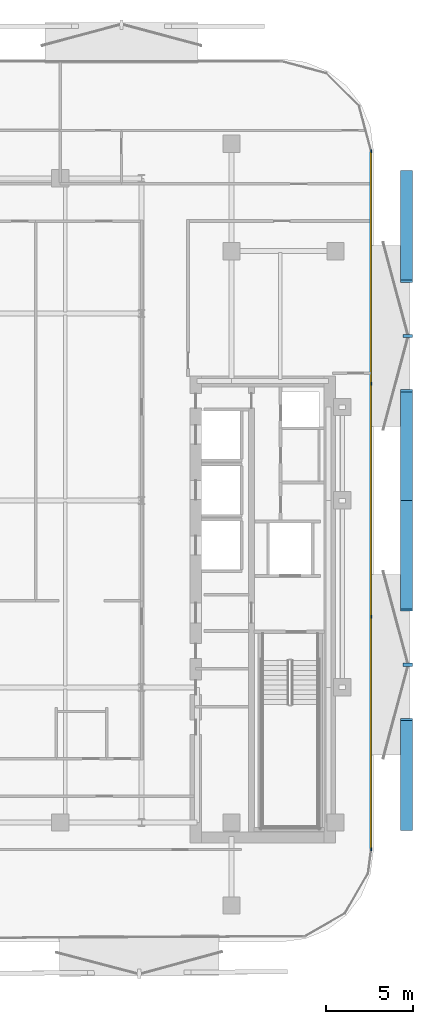
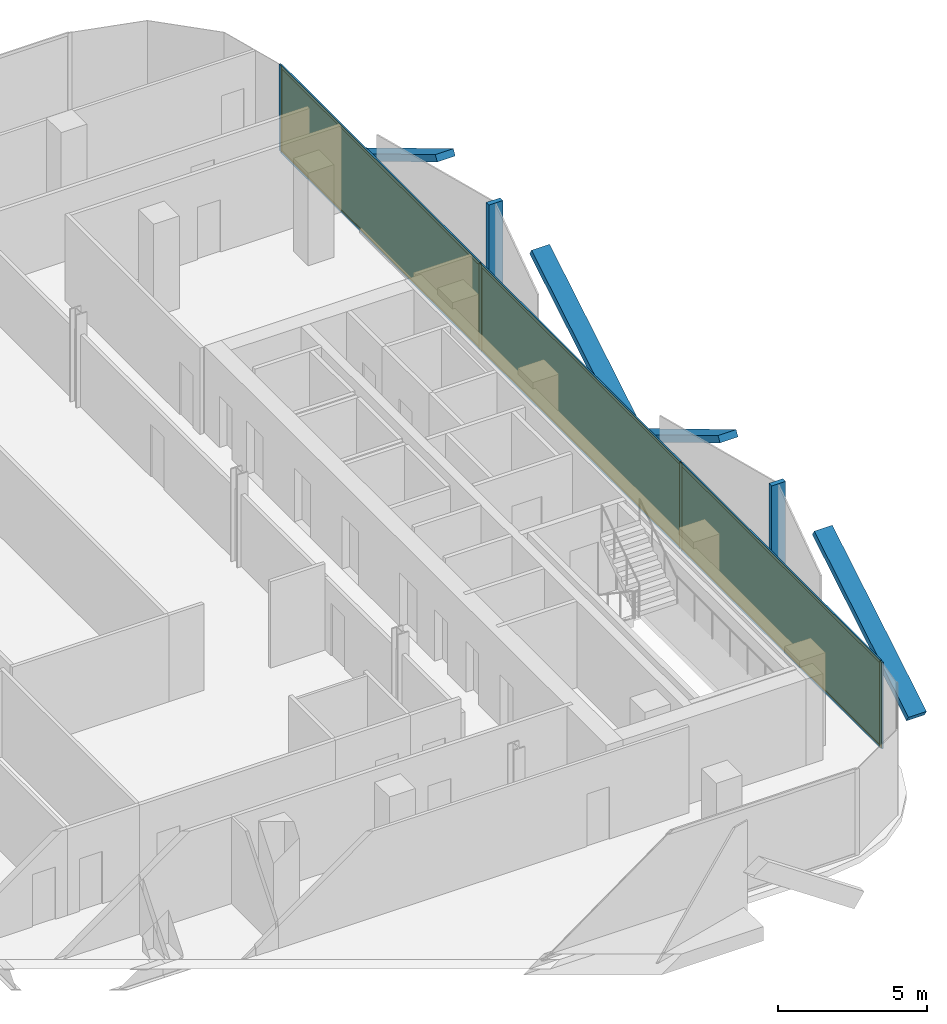
# One storey, part 10 of 16: 16 members, 3 plates, 1 curtain wall.
"""IFC4 building model written with IfcOpenShell, lengths in metres."""

import ifcopenshell
import ifcopenshell.guid

model = None  # the IFC model being written
_history = None  # IfcOwnerHistory: only IFC2X3 demands one
_inside = {}  # id of a spatial element -> (the spatial element, [elements in it])
_under = {}  # id of a project, library or spatial element -> (it, [spatial elements below it])
_declared = {}  # id of a project -> (the project, [libraries it declares])
_typed = {}  # id of a type object -> (the type object, [elements of that type])
_made_of = {}  # id of a material, layer set ... -> (it, [elements and type objects made of it])


def new_model(schema):
    """Start an empty IFC model of exactly this schema.

    Asked for "IFC4X3", IfcOpenShell would pick the latest addendum, in which some entities
    have other attributes; the version numbers below select the first issue.
    IFC2X3 requires an IfcOwnerHistory on every rooted entity: one is made here for all.
    """
    global model, _history
    if schema == "IFC4X3":
        model = ifcopenshell.file(schema_version=(4, 3, 0, 0))
    else:
        model = ifcopenshell.file(schema=schema)
    _inside.clear()
    _under.clear()
    _declared.clear()
    _typed.clear()
    _made_of.clear()
    _history = None
    if model.schema == "IFC2X3":
        org = make("IfcOrganization", Name="unknown")
        user = make(
            "IfcPersonAndOrganization",
            ThePerson=make("IfcPerson", FamilyName="unknown"),
            TheOrganization=org,
        )
        app = make(
            "IfcApplication",
            ApplicationDeveloper=org,
            Version="unknown",
            ApplicationFullName="unknown",
            ApplicationIdentifier="unknown",
        )
        _history = make(
            "IfcOwnerHistory",
            OwningUser=user,
            OwningApplication=app,
            ChangeAction="ADDED",
            CreationDate=0,
        )
    return model


def make(cls, **values):
    """One entity of the class cls with the attributes given. An attribute that is None is left unset."""
    return model.create_entity(
        cls, **{name: value for name, value in values.items() if value is not None}
    )


def rooted(cls, **values):
    """An entity with a GlobalId (a new one), such as an element, a storey or a relation."""
    return make(cls, GlobalId=ifcopenshell.guid.new(), OwnerHistory=_history, **values)


def si_unit(unit_type, name, prefix=None):
    """IfcSIUnit, for example si_unit("LENGTHUNIT", "METRE", prefix="MILLI")."""
    return make("IfcSIUnit", UnitType=unit_type, Prefix=prefix, Name=name)


def assignment(units):
    """IfcUnitAssignment: the units of a project."""
    return None if units is None else make("IfcUnitAssignment", Units=units)


def point(xyz):
    """IfcCartesianPoint."""
    return None if xyz is None else make("IfcCartesianPoint", Coordinates=xyz)


def direction(xyz):
    """IfcDirection."""
    return None if xyz is None else make("IfcDirection", DirectionRatios=xyz)


def frame(location, z_axis=None, x_axis=None):
    """IfcAxis2Placement3D, a coordinate frame: its origin and axes. An axis left out is left unset."""
    return make(
        "IfcAxis2Placement3D",
        Location=point(location),
        Axis=direction(z_axis),
        RefDirection=direction(x_axis),
    )


def frame_2d(location, x_axis=None):
    """IfcAxis2Placement2D, a coordinate frame in the plane: its origin and x axis."""
    return make(
        "IfcAxis2Placement2D", Location=point(location), RefDirection=direction(x_axis)
    )


def origin():
    """The frame at (0, 0, 0) with its axes left unset."""
    return frame((0.0, 0.0, 0.0))


def origin_2d():
    """The frame at (0, 0) in the plane with its x axis left unset."""
    return frame_2d((0.0, 0.0))


def place(relative_to, where):
    """IfcLocalPlacement: puts the frame where relative to a parent placement (None: the world)."""
    return make(
        "IfcLocalPlacement", PlacementRelTo=relative_to, RelativePlacement=where
    )


def context(
    kind, dimensions, precision=None, world=None, true_north=None, identifier=None
):
    """IfcGeometricRepresentationContext, for example the 3D "Model" context."""
    return make(
        "IfcGeometricRepresentationContext",
        ContextIdentifier=identifier,
        ContextType=kind,
        CoordinateSpaceDimension=dimensions,
        Precision=precision,
        WorldCoordinateSystem=world,
        TrueNorth=true_north,
    )


def subcontext(parent, identifier, kind, view, scale=None):
    """IfcGeometricRepresentationSubContext, for example "Body" below "Model"."""
    return make(
        "IfcGeometricRepresentationSubContext",
        ContextIdentifier=identifier,
        ContextType=kind,
        ParentContext=parent,
        TargetScale=scale,
        TargetView=view,
    )


def project(units=None, contexts=None):
    """IfcProject with its units and contexts."""
    return rooted(
        "IfcProject",
        Name="project",
        RepresentationContexts=contexts,
        UnitsInContext=assignment(units),
    )


def spatial(cls, under=None, at=None, **own):
    """A site, building, storey or space (cls), placed at a placement, below another one or the project."""
    s = rooted(cls, ObjectPlacement=at, **own)
    if under is not None:
        _under.setdefault(under.id(), (under, []))[1].append(s)
    return s


def profile(cls, at=None, kind="AREA", **sizes):
    """A parametric profile (cls). Its sizes go by their IFC names, for example OverallWidth=200.0."""
    return make(cls, ProfileType=kind, Position=at, **sizes)


def rectangle(**sizes):
    """IfcRectangleProfileDef."""
    return profile("IfcRectangleProfileDef", **sizes)


def extrude(swept, where, along, depth):
    """IfcExtrudedAreaSolid: the profile swept, set in the frame where, extruded along a direction by depth."""
    return make(
        "IfcExtrudedAreaSolid",
        SweptArea=swept,
        Position=where,
        ExtrudedDirection=direction(along),
        Depth=depth,
    )


def shape(context_of_items, identifier, shape_type, items):
    """IfcShapeRepresentation: the items that make up one representation, for example the "Body"."""
    return make(
        "IfcShapeRepresentation",
        ContextOfItems=context_of_items,
        RepresentationIdentifier=identifier,
        RepresentationType=shape_type,
        Items=items,
    )


def material(Name=None, Category=None):
    """IfcMaterial."""
    return make("IfcMaterial", Name=Name, Category=Category)


def layer(
    of_material, thickness, ventilated=None, Name=None, Category=None, Priority=None
):
    """IfcMaterialLayer: one layer of a wall or slab, of a material (None: an air gap)."""
    return make(
        "IfcMaterialLayer",
        Material=of_material,
        LayerThickness=thickness,
        IsVentilated=ventilated,
        Name=Name,
        Category=Category,
        Priority=Priority,
    )


def layer_set(layers, Name=None):
    """IfcMaterialLayerSet."""
    return make("IfcMaterialLayerSet", MaterialLayers=layers, LayerSetName=Name)


def material_profile(
    of_material, cross_section, Name=None, Category=None, Priority=None
):
    """IfcMaterialProfile: a cross section and its material."""
    return make(
        "IfcMaterialProfile",
        Name=Name,
        Material=of_material,
        Profile=cross_section,
        Priority=Priority,
        Category=Category,
    )


def profile_set(profiles, Name=None, composite=None):
    """IfcMaterialProfileSet."""
    return make(
        "IfcMaterialProfileSet",
        Name=Name,
        MaterialProfiles=profiles,
        CompositeProfile=composite,
    )


def made_of(thing, what):
    """Note that an element or type object is made of a material, layer set ...; save() writes the relation."""
    if what is not None:
        _made_of.setdefault(what.id(), (what, []))[1].append(thing)
    return thing


def type_object(cls, material=None, **own):
    """A type object (cls), such as IfcWallType, which elements share."""
    return made_of(rooted(cls, **own), material)


def element(
    cls,
    number,
    at=None,
    inside=None,
    cuts=None,
    type_object=None,
    material=None,
    context=None,
    identifier="Body",
    shape_type=None,
    held_by="IfcProductDefinitionShape",
    body=None,
    shapes=None,
    **own,
):
    """One element of the class cls, such as IfcWall. Its Tag is "e" and its number.

    at: its placement. inside: the storey or other place that contains it. cuts: it is an
    opening in that element (IfcRelVoidsElement). A single representation is given by context,
    identifier, shape_type and body (its items); several are given by shapes. held_by: the class
    of the entity that holds the representations. save() writes the other relations.
    """
    e = rooted(cls, Tag="e%d" % number, ObjectPlacement=at, **own)
    if body is not None:
        shapes = [shape(context, identifier, shape_type, body)]
    if shapes is not None:
        e.Representation = make(held_by, Representations=shapes)
    if inside is not None:
        _inside.setdefault(inside.id(), (inside, []))[1].append(e)
    if cuts is not None:
        rooted(
            "IfcRelVoidsElement", RelatingBuildingElement=cuts, RelatedOpeningElement=e
        )
    if type_object is not None:
        _typed.setdefault(type_object.id(), (type_object, []))[1].append(e)
    return made_of(e, material)


def aggregate(whole, parts):
    """IfcRelAggregates: a whole, such as a stair, and the parts it consists of."""
    return rooted("IfcRelAggregates", RelatingObject=whole, RelatedObjects=parts)


def save(model, path):
    """Write the relations noted so far, then the file.

    IfcRelAggregates (storeys below a building ...), IfcRelContainedInSpatialStructure (elements
    in a storey), IfcRelDefinesByType, IfcRelAssociatesMaterial and IfcRelDeclares: one each for
    every whole, place, type object, material and project.
    """
    for whole, parts in _under.values():
        aggregate(whole, parts)
    for where, things in _inside.values():
        rooted(
            "IfcRelContainedInSpatialStructure",
            RelatedElements=things,
            RelatingStructure=where,
        )
    for kind, things in _typed.values():
        rooted("IfcRelDefinesByType", RelatedObjects=things, RelatingType=kind)
    for what, things in _made_of.values():
        rooted("IfcRelAssociatesMaterial", RelatedObjects=things, RelatingMaterial=what)
    for by, libraries in _declared.values():
        rooted("IfcRelDeclares", RelatingContext=by, RelatedDefinitions=libraries)
    model.write(path)


model = new_model("IFC4")

# Units and contexts
model_context = context("Model", 3, precision=1e-05, world=origin(), true_north=direction((0.0, 1.0)))
body_context = subcontext(model_context, "Body", "Model", "MODEL_VIEW")
ifc_project = project(units=[si_unit("LENGTHUNIT", "METRE"), si_unit("AREAUNIT", "SQUARE_METRE"), si_unit("VOLUMEUNIT", "CUBIC_METRE"), si_unit("PLANEANGLEUNIT", "RADIAN"), si_unit("MASSUNIT", "GRAM", prefix="KILO")], contexts=[model_context])

# Member
ifc_material_1 = material(Name="Anodised Bronze Aluminium 6063-T6", Category="aluminium")
ifc_material_profile_1 = material_profile(ifc_material_1, rectangle(XDim=0.260009765625, YDim=0.699951171875, at=origin_2d()))
ifc_profile_set_1 = profile_set([ifc_material_profile_1], Name="Anodised Bronze Aluminium 6063-T6")
member_type_1 = type_object("IfcMemberType", Name="Bronze Diamond Solar-Screen Lattice Rib BDL-700", PredefinedType="MULLION", material=ifc_profile_set_1)
site_placement = place(None, origin())
building_placement = place(site_placement, origin())
storey_placement = place(building_placement, frame((0.0, 0.0, 184.0)))
member_1_placement = place(storey_placement, frame((24.5, 18.99072265625, -0.1298828125), z_axis=(0.0, -0.857396627106, 0.51465621907), x_axis=(0.0, -0.51465621907, -0.857396627106)))
member_1 = element("IfcMember", 1, at=member_1_placement, type_object=member_type_1, Name="L42 Bronze Diamond Solar Screen Lattice Rib 279A", PredefinedType="MULLION", context=body_context, shape_type="SweptSolid", body=[
    extrude(rectangle(XDim=0.260009765625, YDim=0.699951171875, at=origin_2d()), origin(), (0.0, 0.0, 1.0), 7.38330078125),
])

member_2_placement = place(storey_placement, frame((24.5, 0.0, -0.1298828125), z_axis=(0.0, 0.857396627106, 0.51465621907), x_axis=(0.0, 0.51465621907, -0.857396627106)))
member_2 = element("IfcMember", 2, at=member_2_placement, type_object=member_type_1, Name="L42 Bronze Diamond Solar Screen Lattice Rib 279B", PredefinedType="MULLION", context=body_context, shape_type="SweptSolid", body=[
    extrude(rectangle(XDim=0.260009765625, YDim=0.699951171875, at=origin_2d()), origin(), (0.0, 0.0, 1.0), 7.38330078125),
])

member_3_placement = place(storey_placement, frame((24.5, 0.0, -0.1298828125), z_axis=(0.0, -0.857396627106, 0.51465621907), x_axis=(0.0, -0.51465621907, -0.857396627106)))
member_3 = element("IfcMember", 3, at=member_3_placement, type_object=member_type_1, Name="L42 Bronze Diamond Solar Screen Lattice Rib 280A", PredefinedType="MULLION", context=body_context, shape_type="SweptSolid", body=[
    extrude(rectangle(XDim=0.260009765625, YDim=0.699951171875, at=origin_2d()), origin(), (0.0, 0.0, 1.0), 7.38330078125),
])

member_4_placement = place(storey_placement, frame((24.5, -18.99072265625, -0.1298828125), z_axis=(0.0, 0.857396627106, 0.51465621907), x_axis=(0.0, 0.51465621907, -0.857396627106)))
member_4 = element("IfcMember", 4, at=member_4_placement, type_object=member_type_1, Name="L42 Bronze Diamond Solar Screen Lattice Rib 280B", PredefinedType="MULLION", context=body_context, shape_type="SweptSolid", body=[
    extrude(rectangle(XDim=0.260009765625, YDim=0.699951171875, at=origin_2d()), origin(), (0.0, 0.0, 1.0), 7.38330078125),
])

ifc_material_2 = material(Name="Anodised Bronze Aluminium 6063-T6", Category="aluminium")
ifc_material_profile_2 = material_profile(ifc_material_2, rectangle(XDim=0.179931640625, YDim=0.5400390625, at=origin_2d()))
ifc_profile_set_2 = profile_set([ifc_material_profile_2], Name="Anodised Bronze Aluminium 6063-T6")
member_type_2 = type_object("IfcMemberType", Name="Bronze Solar-Screen Vertical Fold Fin BSF-540", PredefinedType="MULLION", material=ifc_profile_set_2)
member_5_placement = place(storey_placement, frame((24.580078125, 9.495361328125, -0.1298828125), z_axis=(0.0, 0.0, 1.0), x_axis=(0.0, -1.0, 0.0)))
member_5 = element("IfcMember", 5, at=member_5_placement, type_object=member_type_2, Name="L42 Bronze Solar Screen Vertical Fin 279", PredefinedType="MULLION", context=body_context, shape_type="SweptSolid", body=[
    extrude(rectangle(XDim=0.179931640625, YDim=0.5400390625, at=origin_2d()), origin(), (0.0, 0.0, 1.0), 3.7998046875),
])

member_6_placement = place(storey_placement, frame((24.580078125, -9.495361328125, -0.1298828125), z_axis=(0.0, 0.0, 1.0), x_axis=(0.0, -1.0, 0.0)))
member_6 = element("IfcMember", 6, at=member_6_placement, type_object=member_type_2, Name="L42 Bronze Solar Screen Vertical Fin 280", PredefinedType="MULLION", context=body_context, shape_type="SweptSolid", body=[
    extrude(rectangle(XDim=0.179931640625, YDim=0.5400390625, at=origin_2d()), origin(), (0.0, 0.0, 1.0), 3.7998046875),
])

ifc_material_3 = material(Name="Anodised Bronze Aluminium 6063-T6", Category="aluminium")
ifc_material_profile_3 = material_profile(ifc_material_3, rectangle(XDim=0.06005859375, YDim=0.1650390625, at=origin_2d()))
ifc_profile_set_3 = profile_set([ifc_material_profile_3], Name="Anodised Bronze Aluminium 6063-T6")
member_type_3 = type_object("IfcMemberType", Name="CW-Z3 Mullion 60x165", PredefinedType="MULLION", material=ifc_profile_set_3)
member_7_placement = place(storey_placement, frame((22.4599609375, 20.160888671875, 0.0), z_axis=(0.0, 0.0, 1.0), x_axis=(1.0, 0.0, 0.0)))
member_7 = element("IfcMember", 7, at=member_7_placement, type_object=member_type_3, Name="CW-Z3 mullion 1", PredefinedType="MULLION", context=body_context, shape_type="SweptSolid", body=[
    extrude(rectangle(XDim=0.06005859375, YDim=0.1650390625, at=origin_2d()), origin(), (0.0, 0.0, 1.0), 3.5400390625),
])

member_8_placement = place(storey_placement, frame((22.4599609375, 6.730224609375, 0.0), z_axis=(0.0, 0.0, 1.0), x_axis=(1.0, 0.0, 0.0)))
member_8 = element("IfcMember", 8, at=member_8_placement, type_object=member_type_3, Name="CW-Z3 mullion 2", PredefinedType="MULLION", context=body_context, shape_type="SweptSolid", body=[
    extrude(rectangle(XDim=0.06005859375, YDim=0.1650390625, at=origin_2d()), origin(), (0.0, 0.0, 1.0), 3.5400390625),
])

member_9_placement = place(storey_placement, frame((22.4599609375, -6.730224609375, 0.0), z_axis=(0.0, 0.0, 1.0), x_axis=(1.0, 0.0, 0.0)))
member_9 = element("IfcMember", 9, at=member_9_placement, type_object=member_type_3, Name="CW-Z3 mullion 3", PredefinedType="MULLION", context=body_context, shape_type="SweptSolid", body=[
    extrude(rectangle(XDim=0.06005859375, YDim=0.1650390625, at=origin_2d()), origin(), (0.0, 0.0, 1.0), 3.5400390625),
])

member_10_placement = place(storey_placement, frame((22.4599609375, -20.160888671875, 0.0), z_axis=(0.0, 0.0, 1.0), x_axis=(1.0, 0.0, 0.0)))
member_10 = element("IfcMember", 10, at=member_10_placement, type_object=member_type_3, Name="CW-Z3 mullion 4", PredefinedType="MULLION", context=body_context, shape_type="SweptSolid", body=[
    extrude(rectangle(XDim=0.06005859375, YDim=0.1650390625, at=origin_2d()), origin(), (0.0, 0.0, 1.0), 3.5400390625),
])

ifc_material_4 = material(Name="Anodised Bronze Aluminium 6063-T6", Category="aluminium")
ifc_material_profile_4 = material_profile(ifc_material_4, rectangle(XDim=0.06005859375, YDim=0.1298828125, at=origin_2d()))
ifc_profile_set_4 = profile_set([ifc_material_profile_4], Name="Anodised Bronze Aluminium 6063-T6")
member_type_4 = type_object("IfcMemberType", Name="CW-Z3 Transom 60x130", PredefinedType="USERDEFINED", material=ifc_profile_set_4)
member_11_placement = place(storey_placement, frame((22.4599609375, 20.130859375, 0.030029296875), z_axis=(0.0, -1.0, 0.0), x_axis=(1.0, 0.0, 0.0)))
member_11 = element("IfcMember", 11, at=member_11_placement, type_object=member_type_4, Name="CW-Z3 transom 1.1", ObjectType="TRANSOM", PredefinedType="USERDEFINED", context=body_context, shape_type="SweptSolid", body=[
    extrude(rectangle(XDim=0.06005859375, YDim=0.1298828125, at=origin_2d()), origin(), (0.0, 0.0, 1.0), 13.37060546875),
])

member_12_placement = place(storey_placement, frame((22.4599609375, 20.130859375, 3.510009765625), z_axis=(0.0, -1.0, 0.0), x_axis=(1.0, 0.0, 0.0)))
member_12 = element("IfcMember", 12, at=member_12_placement, type_object=member_type_4, Name="CW-Z3 transom 1.2", ObjectType="TRANSOM", PredefinedType="USERDEFINED", context=body_context, shape_type="SweptSolid", body=[
    extrude(rectangle(XDim=0.06005859375, YDim=0.1298828125, at=origin_2d()), origin(), (0.0, 0.0, 1.0), 13.37060546875),
])

member_13_placement = place(storey_placement, frame((22.4599609375, 6.7001953125, 0.030029296875), z_axis=(0.0, -1.0, 0.0), x_axis=(1.0, 0.0, 0.0)))
member_13 = element("IfcMember", 13, at=member_13_placement, type_object=member_type_4, Name="CW-Z3 transom 2.1", ObjectType="TRANSOM", PredefinedType="USERDEFINED", context=body_context, shape_type="SweptSolid", body=[
    extrude(rectangle(XDim=0.06005859375, YDim=0.1298828125, at=origin_2d()), origin(), (0.0, 0.0, 1.0), 13.400390625),
])

member_14_placement = place(storey_placement, frame((22.4599609375, 6.7001953125, 3.510009765625), z_axis=(0.0, -1.0, 0.0), x_axis=(1.0, 0.0, 0.0)))
member_14 = element("IfcMember", 14, at=member_14_placement, type_object=member_type_4, Name="CW-Z3 transom 2.2", ObjectType="TRANSOM", PredefinedType="USERDEFINED", context=body_context, shape_type="SweptSolid", body=[
    extrude(rectangle(XDim=0.06005859375, YDim=0.1298828125, at=origin_2d()), origin(), (0.0, 0.0, 1.0), 13.400390625),
])

member_15_placement = place(storey_placement, frame((22.4599609375, -6.76025390625, 0.030029296875), z_axis=(0.0, -1.0, 0.0), x_axis=(1.0, 0.0, 0.0)))
member_15 = element("IfcMember", 15, at=member_15_placement, type_object=member_type_4, Name="CW-Z3 transom 3.1", ObjectType="TRANSOM", PredefinedType="USERDEFINED", context=body_context, shape_type="SweptSolid", body=[
    extrude(rectangle(XDim=0.06005859375, YDim=0.1298828125, at=origin_2d()), origin(), (0.0, 0.0, 1.0), 13.37060546875),
])

member_16_placement = place(storey_placement, frame((22.4599609375, -6.76025390625, 3.510009765625), z_axis=(0.0, -1.0, 0.0), x_axis=(1.0, 0.0, 0.0)))
member_16 = element("IfcMember", 16, at=member_16_placement, type_object=member_type_4, Name="CW-Z3 transom 3.2", ObjectType="TRANSOM", PredefinedType="USERDEFINED", context=body_context, shape_type="SweptSolid", body=[
    extrude(rectangle(XDim=0.06005859375, YDim=0.1298828125, at=origin_2d()), origin(), (0.0, 0.0, 1.0), 13.37060546875),
])

# Plate
ifc_material_5 = material(Name="Low-E Solar Control Laminated Glass", Category="glass")
ifc_layer_1 = layer(ifc_material_5, 0.030029296875, Name="Low-E Solar Control Laminated Glass")
ifc_layer_set_1 = layer_set([ifc_layer_1], Name="Low-E Solar Control Laminated Glass")
plate_type = type_object("IfcPlateType", Name="CW-Z3 Low-E Double Glazed Panel 30mm", PredefinedType="CURTAIN_PANEL", material=ifc_layer_set_1)
plate_1_placement = place(storey_placement, frame((22.4599609375, 13.445556640625, 0.06005859375), z_axis=(0.0, 0.0, 1.0), x_axis=(0.0, -1.0, 0.0)))
plate_1 = element("IfcPlate", 17, at=plate_1_placement, type_object=plate_type, Name="CW-Z3 panel 1.1", PredefinedType="CURTAIN_PANEL", context=body_context, shape_type="SweptSolid", body=[
    extrude(rectangle(XDim=13.37060546875, YDim=0.030029296875, at=origin_2d()), origin(), (0.0, 0.0, 1.0), 3.419921875),
])

plate_2_placement = place(storey_placement, frame((22.4599609375, 0.0, 0.06005859375), z_axis=(0.0, 0.0, 1.0), x_axis=(0.0, -1.0, 0.0)))
plate_2 = element("IfcPlate", 18, at=plate_2_placement, type_object=plate_type, Name="CW-Z3 panel 2.1", PredefinedType="CURTAIN_PANEL", context=body_context, shape_type="SweptSolid", body=[
    extrude(rectangle(XDim=13.400634765625, YDim=0.030029296875, at=origin_2d()), origin(), (0.0, 0.0, 1.0), 3.419921875),
])

plate_3_placement = place(storey_placement, frame((22.4599609375, -13.445556640625, 0.06005859375), z_axis=(0.0, 0.0, 1.0), x_axis=(0.0, -1.0, 0.0)))
plate_3 = element("IfcPlate", 19, at=plate_3_placement, type_object=plate_type, Name="CW-Z3 panel 3.1", PredefinedType="CURTAIN_PANEL", context=body_context, shape_type="SweptSolid", body=[
    extrude(rectangle(XDim=13.37060546875, YDim=0.030029296875, at=origin_2d()), origin(), (0.0, 0.0, 1.0), 3.419921875),
])

# Site, building, storey
site = spatial("IfcSite", under=ifc_project, at=site_placement, CompositionType="ELEMENT")
building = spatial("IfcBuilding", under=site, at=building_placement, Name="Khairoan Windgate Tower", CompositionType="ELEMENT")
storey = spatial("IfcBuildingStorey", under=building, at=storey_placement, Name="L42", CompositionType="ELEMENT", Elevation=184.0)

# Curtain wall
ifc_material_6 = material(Name="Anodised Bronze Aluminium 6063-T6", Category="aluminium")
ifc_layer_2 = layer(ifc_material_6, 0.1650390625, Name="Anodised Bronze Aluminium 6063-T6")
ifc_layer_set_2 = layer_set([ifc_layer_2], Name="Anodised Bronze Aluminium 6063-T6")
curtain_wall_type = type_object("IfcCurtainWallType", Name="Luxury Hotel Acoustic Curtain Wall CW-Z3", PredefinedType="NOTDEFINED", material=ifc_layer_set_2)
curtain_wall_placement = place(storey_placement, frame((22.4599609375, 20.19091796875, 0.0), z_axis=(0.0, 0.0, 1.0), x_axis=(0.0, -1.0, 0.0)))
curtain_wall = element("IfcCurtainWall", 20, at=curtain_wall_placement, inside=storey, type_object=curtain_wall_type, Name="L42 Unitised Curtain Wall 13", PredefinedType="NOTDEFINED", context=body_context, shape_type="SweptSolid", body=[
    extrude(rectangle(XDim=40.3818359375, YDim=0.010009765625, at=frame_2d((20.19091796875, 0.0))), origin(), (0.0, 0.0, 1.0), 3.5400390625),
])

aggregate(curtain_wall, [member_7, member_8, member_9, member_10, member_11, member_12, plate_1, member_13, member_14, plate_2, member_15, member_16, plate_3, member_1, member_2, member_5, member_3, member_4, member_6])

save(model, "model.ifc")
